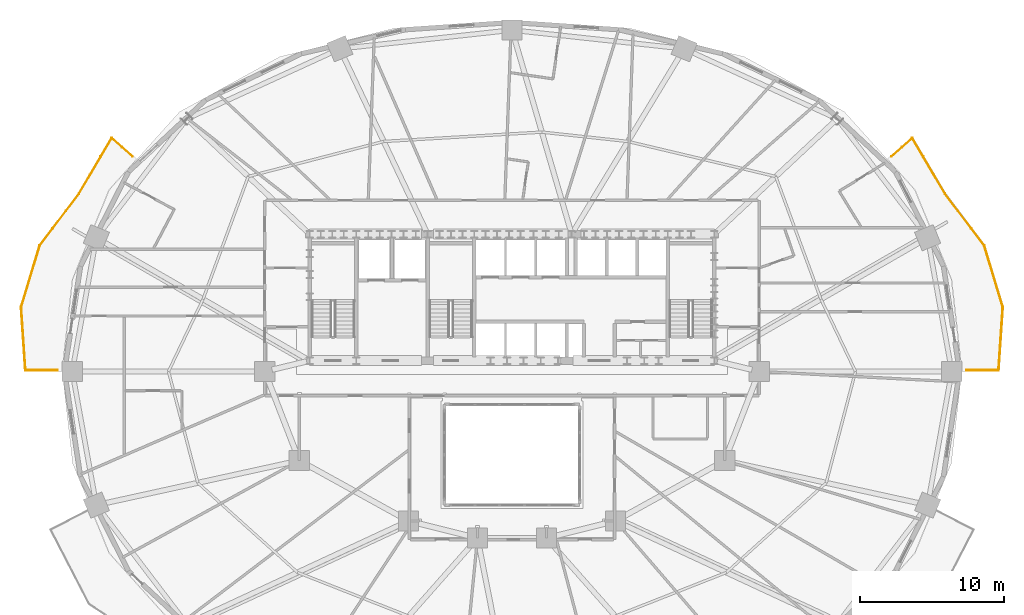
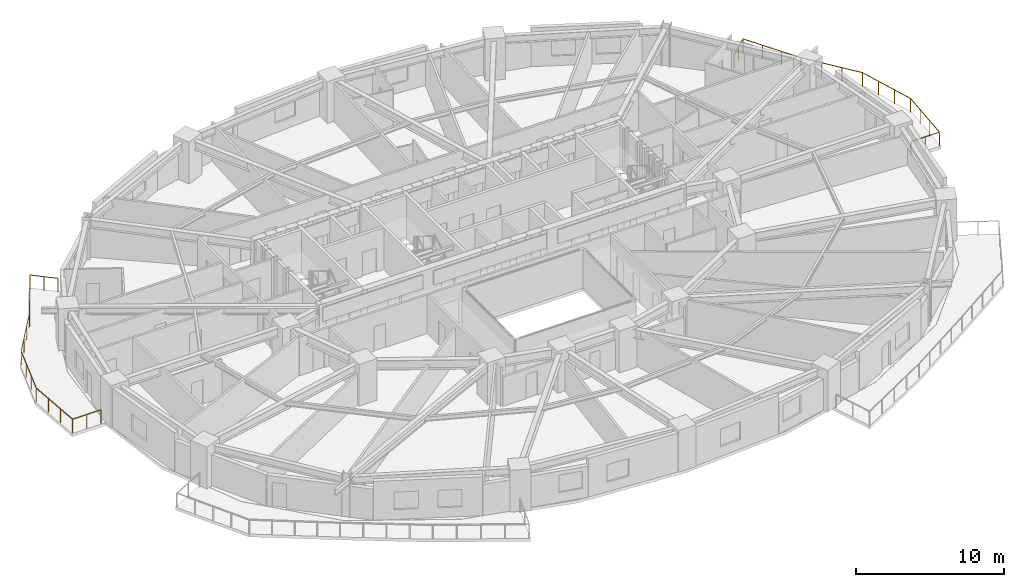
# One storey, part 18 of 18: 2 railings.
"""IFC4 building model written with IfcOpenShell, lengths in metres."""

from ifc_helpers import new_model, si_unit, direction, frame, origin, origin_2d, place, context, subcontext, project, spatial, rectangle, extrude, material, type_object, element, save


model = new_model("IFC4")

# Units and contexts
model_context = context("Model", 3, precision=1e-05, world=origin(), true_north=direction((0.0, 1.0)))
body_context = subcontext(model_context, "Body", "Model", "MODEL_VIEW")
ifc_project = project(units=[si_unit("LENGTHUNIT", "METRE"), si_unit("AREAUNIT", "SQUARE_METRE"), si_unit("VOLUMEUNIT", "CUBIC_METRE"), si_unit("PLANEANGLEUNIT", "RADIAN"), si_unit("MASSUNIT", "GRAM", prefix="KILO")], contexts=[model_context])

# Site, building, storey
site_placement = place(None, origin())
site = spatial("IfcSite", under=ifc_project, at=site_placement, CompositionType="ELEMENT")
building_placement = place(site_placement, origin())
building = spatial("IfcBuilding", under=site, at=building_placement, Name="Haldorwick Loom Tower", CompositionType="ELEMENT")
storey_placement = place(building_placement, frame((0.0, 0.0, 41.25)))
storey = spatial("IfcBuildingStorey", under=building, at=storey_placement, Name="L10", CompositionType="ELEMENT", Elevation=41.25)

# Railings
ifc_material = material(Name="Galvanized Steel CSA G40.21 350W", Category="steel")
railing_type = type_object("IfcRailingType", Name="ARC-RLG-BAL115", PredefinedType="BALUSTRADE", material=ifc_material)
railing_1_placement = place(storey_placement, frame((4.36083984375, 26.080078125, 0.0)))
element("IfcRailing", 1, at=railing_1_placement, inside=storey, type_object=railing_type, Name="L10 Outdoor Terrace Guardrail SLB-L10-BAL_WNW-1", PredefinedType="BALUSTRADE", context=body_context, shape_type="SweptSolid", body=[
    extrude(rectangle(XDim=0.048095703125, YDim=0.048095703125, at=origin_2d()), frame((0.0, 0.0, 1.1259765625), z_axis=(-1.0, 0.0, 0.0), x_axis=(0.0, -1.0, 0.0)), (0.0, 0.0, 1.0), 2.212158203125),
    extrude(rectangle(XDim=0.048095703125, YDim=0.048095703125, at=origin_2d()), frame((-2.212158203125, 0.0, 1.1259765625), z_axis=(-0.067298366043, 0.997732895082, 0.0), x_axis=(-0.997732895082, -0.067298366043, 0.0)), (0.0, 0.0, 1.0), 4.40771484375),
    extrude(rectangle(XDim=0.048095703125, YDim=0.048095703125, at=origin_2d()), frame((-2.5087890625, 4.397705078125, 1.1259765625), z_axis=(0.289325524073, 0.95723076691, 0.0), x_axis=(-0.95723076691, 0.289325524073, 0.0)), (0.0, 0.0, 1.0), 4.47216796875),
    extrude(rectangle(XDim=0.048095703125, YDim=0.048095703125, at=origin_2d()), frame((-1.21484375, 8.6787109375, 1.1259765625), z_axis=(0.603194033611, 0.797594482062, 0.0), x_axis=(-0.797594482062, 0.603194033611, 0.0)), (0.0, 0.0, 1.0), 4.506103515625),
    extrude(rectangle(XDim=0.048095703125, YDim=0.048095703125, at=origin_2d()), frame((1.503173828125, 12.272705078125, 1.1259765625), z_axis=(0.529998940003, 0.847998304005, 0.0), x_axis=(-0.847998304005, 0.529998940003, 0.0)), (0.0, 0.0, 1.0), 0.00927734375),
    extrude(rectangle(XDim=0.048095703125, YDim=0.048095703125, at=origin_2d()), frame((1.508056640625, 12.280517578125, 1.1259765625), z_axis=(0.507207258326, 0.861824110304, 0.0), x_axis=(-0.861824110304, 0.507207258326, 0.0)), (0.0, 0.0, 1.0), 4.50390625),
    extrude(rectangle(XDim=0.048095703125, YDim=0.048095703125, at=origin_2d()), frame((3.79248046875, 16.162109375, 1.1259765625), z_axis=(0.746009254352, -0.66593557678, 0.0), x_axis=(0.66593557678, 0.746009254352, 0.0)), (0.0, 0.0, 1.0), 1.93603515625),
    extrude(rectangle(XDim=0.0419921875, YDim=0.0419921875, at=origin_2d()), origin(), (0.0, 0.0, 1.0), 1.101806640625),
    extrude(rectangle(XDim=0.0419921875, YDim=0.0419921875, at=origin_2d()), frame((-1.10595703125, 0.0, 0.0)), (0.0, 0.0, 1.0), 1.101806640625),
    extrude(rectangle(XDim=0.0419921875, YDim=0.0419921875, at=origin_2d()), frame((-2.212158203125, 0.0, 0.0)), (0.0, 0.0, 1.0), 1.101806640625),
    extrude(rectangle(XDim=0.0419921875, YDim=0.0419921875, at=origin_2d()), frame((-2.31103515625, 1.4658203125, 0.0)), (0.0, 0.0, 1.0), 1.101806640625),
    extrude(rectangle(XDim=0.0419921875, YDim=0.0419921875, at=origin_2d()), frame((-2.409912109375, 2.931884765625, 0.0)), (0.0, 0.0, 1.0), 1.101806640625),
    extrude(rectangle(XDim=0.0419921875, YDim=0.0419921875, at=origin_2d()), frame((-2.5087890625, 4.397705078125, 0.0)), (0.0, 0.0, 1.0), 1.101806640625),
    extrude(rectangle(XDim=0.0419921875, YDim=0.0419921875, at=origin_2d()), frame((-2.077392578125, 5.82470703125, 0.0)), (0.0, 0.0, 1.0), 1.101806640625),
    extrude(rectangle(XDim=0.0419921875, YDim=0.0419921875, at=origin_2d()), frame((-1.646240234375, 7.251708984375, 0.0)), (0.0, 0.0, 1.0), 1.101806640625),
    extrude(rectangle(XDim=0.0419921875, YDim=0.0419921875, at=origin_2d()), frame((-1.21484375, 8.6787109375, 0.0)), (0.0, 0.0, 1.0), 1.101806640625),
    extrude(rectangle(XDim=0.0419921875, YDim=0.0419921875, at=origin_2d()), frame((-0.308837890625, 9.876708984375, 0.0)), (0.0, 0.0, 1.0), 1.101806640625),
    extrude(rectangle(XDim=0.0419921875, YDim=0.0419921875, at=origin_2d()), frame((0.59716796875, 11.07470703125, 0.0)), (0.0, 0.0, 1.0), 1.101806640625),
    extrude(rectangle(XDim=0.0419921875, YDim=0.0419921875, at=origin_2d()), frame((1.503173828125, 12.272705078125, 0.0)), (0.0, 0.0, 1.0), 1.101806640625),
    extrude(rectangle(XDim=0.0419921875, YDim=0.0419921875, at=origin_2d()), frame((2.26953125, 13.574462890625, 0.0)), (0.0, 0.0, 1.0), 1.101806640625),
    extrude(rectangle(XDim=0.0419921875, YDim=0.0419921875, at=origin_2d()), frame((3.031005859375, 14.8681640625, 0.0)), (0.0, 0.0, 1.0), 1.101806640625),
    extrude(rectangle(XDim=0.0419921875, YDim=0.0419921875, at=origin_2d()), frame((3.79248046875, 16.162109375, 0.0)), (0.0, 0.0, 1.0), 1.101806640625),
    extrude(rectangle(XDim=0.0419921875, YDim=0.0419921875, at=origin_2d()), frame((4.5146484375, 15.517578125, 0.0)), (0.0, 0.0, 1.0), 1.101806640625),
    extrude(rectangle(XDim=0.0419921875, YDim=0.0419921875, at=origin_2d()), frame((5.23681640625, 14.872802734375, 0.0)), (0.0, 0.0, 1.0), 1.101806640625),
])
railing_2_placement = place(storey_placement, frame((62.40234375, 40.952880859375, 0.0)))
element("IfcRailing", 2, at=railing_2_placement, inside=storey, type_object=railing_type, Name="L10 Outdoor Terrace Guardrail SLB-L10-BAL_ENE-1", PredefinedType="BALUSTRADE", context=body_context, shape_type="SweptSolid", body=[
    extrude(rectangle(XDim=0.048095703125, YDim=0.048095703125, at=origin_2d()), frame((0.0, 0.0, 1.1259765625), z_axis=(0.746009254352, 0.66593557678, 0.0), x_axis=(-0.66593557678, 0.746009254352, 0.0)), (0.0, 0.0, 1.0), 1.93603515625),
    extrude(rectangle(XDim=0.048095703125, YDim=0.048095703125, at=origin_2d()), frame((1.4443359375, 1.289306640625, 1.1259765625), z_axis=(0.507207258326, -0.861824110304, 0.0), x_axis=(0.861824110304, 0.507207258326, 0.0)), (0.0, 0.0, 1.0), 4.50390625),
    extrude(rectangle(XDim=0.048095703125, YDim=0.048095703125, at=origin_2d()), frame((3.728759765625, -2.59228515625, 1.1259765625), z_axis=(0.529998940003, -0.847998304005, 0.0), x_axis=(0.847998304005, 0.529998940003, 0.0)), (0.0, 0.0, 1.0), 0.00927734375),
    extrude(rectangle(XDim=0.048095703125, YDim=0.048095703125, at=origin_2d()), frame((3.733642578125, -2.60009765625, 1.1259765625), z_axis=(0.603194033611, -0.797594482062, 0.0), x_axis=(0.797594482062, 0.603194033611, 0.0)), (0.0, 0.0, 1.0), 4.506103515625),
    extrude(rectangle(XDim=0.048095703125, YDim=0.048095703125, at=origin_2d()), frame((6.45166015625, -6.194091796875, 1.1259765625), z_axis=(0.289325524073, -0.95723076691, 0.0), x_axis=(0.95723076691, 0.289325524073, 0.0)), (0.0, 0.0, 1.0), 4.47216796875),
    extrude(rectangle(XDim=0.048095703125, YDim=0.048095703125, at=origin_2d()), frame((7.74560546875, -10.47509765625, 1.1259765625), z_axis=(-0.067298366043, -0.997732895082, 0.0), x_axis=(0.997732895082, -0.067298366043, 0.0)), (0.0, 0.0, 1.0), 4.40771484375),
    extrude(rectangle(XDim=0.048095703125, YDim=0.048095703125, at=origin_2d()), frame((7.448974609375, -14.872802734375, 1.1259765625), z_axis=(-1.0, 0.0, 0.0), x_axis=(0.0, -1.0, 0.0)), (0.0, 0.0, 1.0), 2.212158203125),
    extrude(rectangle(XDim=0.0419921875, YDim=0.0419921875, at=origin_2d()), origin(), (0.0, 0.0, 1.0), 1.101806640625),
    extrude(rectangle(XDim=0.0419921875, YDim=0.0419921875, at=origin_2d()), frame((0.72216796875, 0.64453125, 0.0)), (0.0, 0.0, 1.0), 1.101806640625),
    extrude(rectangle(XDim=0.0419921875, YDim=0.0419921875, at=origin_2d()), frame((1.4443359375, 1.289306640625, 0.0)), (0.0, 0.0, 1.0), 1.101806640625),
    extrude(rectangle(XDim=0.0419921875, YDim=0.0419921875, at=origin_2d()), frame((2.205810546875, -0.004638671875, 0.0)), (0.0, 0.0, 1.0), 1.101806640625),
    extrude(rectangle(XDim=0.0419921875, YDim=0.0419921875, at=origin_2d()), frame((2.96728515625, -1.29833984375, 0.0)), (0.0, 0.0, 1.0), 1.101806640625),
    extrude(rectangle(XDim=0.0419921875, YDim=0.0419921875, at=origin_2d()), frame((3.728759765625, -2.59228515625, 0.0)), (0.0, 0.0, 1.0), 1.101806640625),
    extrude(rectangle(XDim=0.0419921875, YDim=0.0419921875, at=origin_2d()), frame((4.6396484375, -3.798095703125, 0.0)), (0.0, 0.0, 1.0), 1.101806640625),
    extrude(rectangle(XDim=0.0419921875, YDim=0.0419921875, at=origin_2d()), frame((5.545654296875, -4.99609375, 0.0)), (0.0, 0.0, 1.0), 1.101806640625),
    extrude(rectangle(XDim=0.0419921875, YDim=0.0419921875, at=origin_2d()), frame((6.45166015625, -6.194091796875, 0.0)), (0.0, 0.0, 1.0), 1.101806640625),
    extrude(rectangle(XDim=0.0419921875, YDim=0.0419921875, at=origin_2d()), frame((6.883056640625, -7.62109375, 0.0)), (0.0, 0.0, 1.0), 1.101806640625),
    extrude(rectangle(XDim=0.0419921875, YDim=0.0419921875, at=origin_2d()), frame((7.314208984375, -9.048095703125, 0.0)), (0.0, 0.0, 1.0), 1.101806640625),
    extrude(rectangle(XDim=0.0419921875, YDim=0.0419921875, at=origin_2d()), frame((7.74560546875, -10.47509765625, 0.0)), (0.0, 0.0, 1.0), 1.101806640625),
    extrude(rectangle(XDim=0.0419921875, YDim=0.0419921875, at=origin_2d()), frame((7.646728515625, -11.94091796875, 0.0)), (0.0, 0.0, 1.0), 1.101806640625),
    extrude(rectangle(XDim=0.0419921875, YDim=0.0419921875, at=origin_2d()), frame((7.5478515625, -13.406982421875, 0.0)), (0.0, 0.0, 1.0), 1.101806640625),
    extrude(rectangle(XDim=0.0419921875, YDim=0.0419921875, at=origin_2d()), frame((7.448974609375, -14.872802734375, 0.0)), (0.0, 0.0, 1.0), 1.101806640625),
    extrude(rectangle(XDim=0.0419921875, YDim=0.0419921875, at=origin_2d()), frame((6.3427734375, -14.872802734375, 0.0)), (0.0, 0.0, 1.0), 1.101806640625),
    extrude(rectangle(XDim=0.0419921875, YDim=0.0419921875, at=origin_2d()), frame((5.23681640625, -14.872802734375, 0.0)), (0.0, 0.0, 1.0), 1.101806640625),
])

save(model, "model.ifc")
